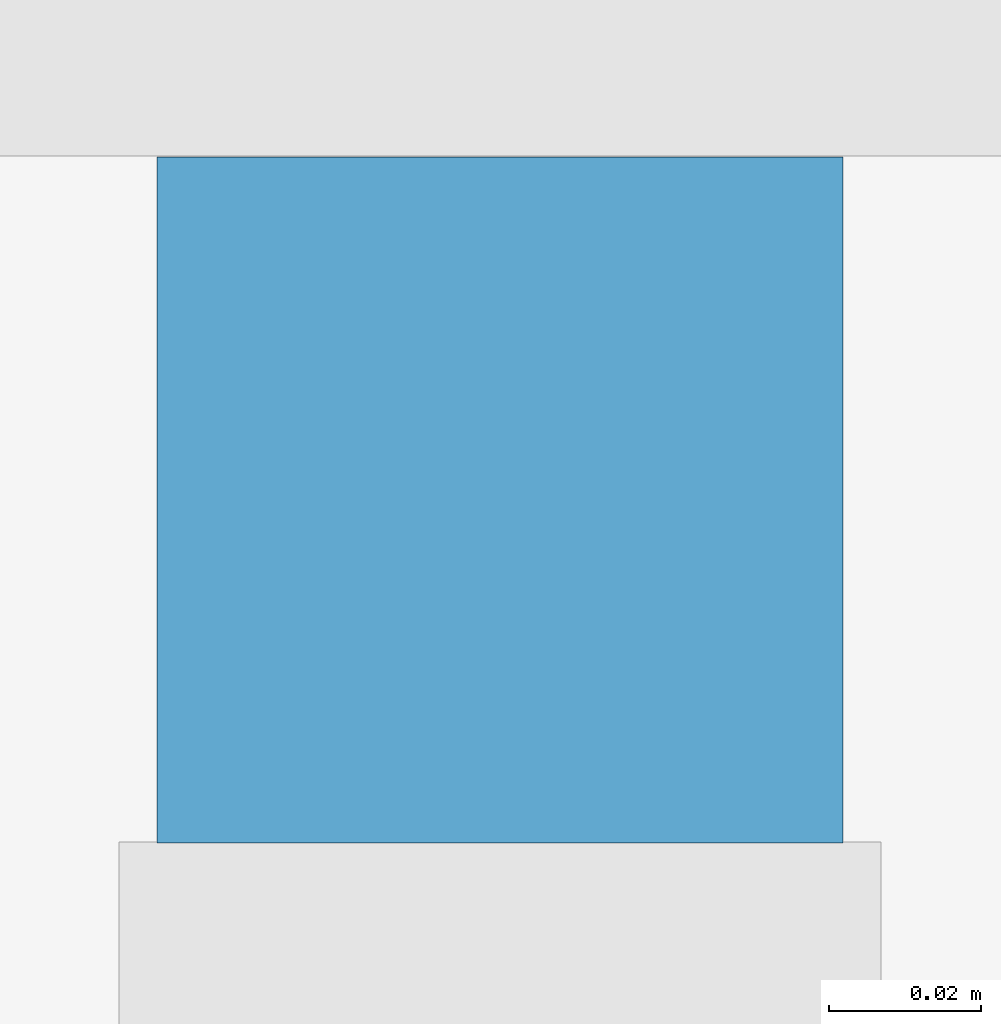
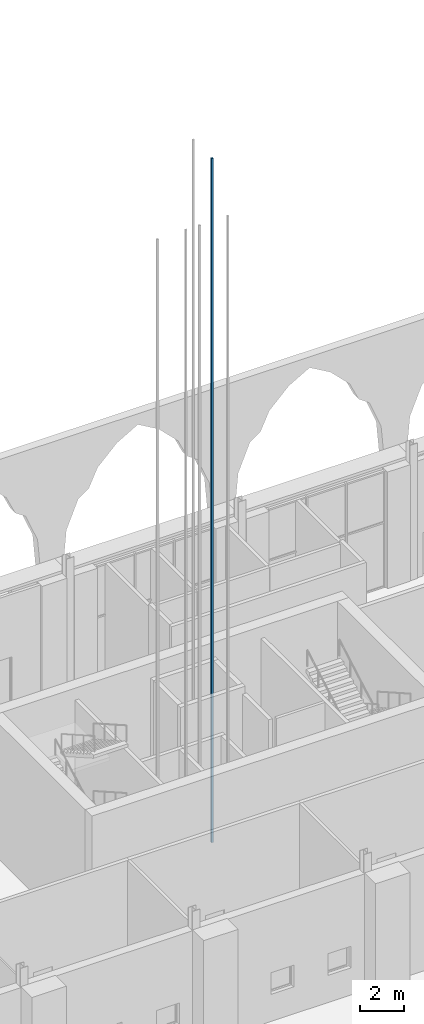
# One storey, part 158 of 250: 1 discrete accessory.
"""IFC4 building model written with IfcOpenShell, lengths in metres."""

from ifc_helpers import new_model, si_unit, direction, frame, origin, origin_2d, place, context, subcontext, project, spatial, rectangle, extrude, material, type_object, element, save


model = new_model("IFC4")

# Units and contexts
model_context = context("Model", 3, precision=1e-05, world=origin(), true_north=direction((0.0, 1.0)))
body_context = subcontext(model_context, "Body", "Model", "MODEL_VIEW")
ifc_project = project(units=[si_unit("LENGTHUNIT", "METRE"), si_unit("AREAUNIT", "SQUARE_METRE"), si_unit("VOLUMEUNIT", "CUBIC_METRE"), si_unit("PLANEANGLEUNIT", "RADIAN"), si_unit("MASSUNIT", "GRAM", prefix="KILO")], contexts=[model_context])

# Site, building, storey
site_placement = place(None, origin())
site = spatial("IfcSite", under=ifc_project, at=site_placement, CompositionType="ELEMENT")
building_placement = place(site_placement, origin())
building = spatial("IfcBuilding", under=site, at=building_placement, Name="Baradari Gate Terminus", CompositionType="ELEMENT")
storey_placement = place(building_placement, origin())
storey = spatial("IfcBuildingStorey", under=building, at=storey_placement, Name="L00", CompositionType="ELEMENT", Elevation=0.0)

# Discrete accessory
ifc_material = material(Name="Steel S355", Category="steel")
discrete_accessory_type = type_object("IfcDiscreteAccessoryType", Name="Lift guide rail GR-L1 90x90", PredefinedType="BRACKET", material=ifc_material)
discrete_accessory_placement = place(storey_placement, frame((36.824951171875, 132.3798828125, -1.599853515625), z_axis=(0.0, 0.0, 1.0), x_axis=(1.0, 0.0, 0.0)))
element("IfcDiscreteAccessory", 1, at=discrete_accessory_placement, inside=storey, type_object=discrete_accessory_type, Name="Lift guide rail LT3 1", PredefinedType="BRACKET", context=body_context, shape_type="SweptSolid", body=[
    extrude(rectangle(XDim=0.090087890625, YDim=0.090087890625, at=origin_2d()), origin(), (0.0, 0.0, 1.0), 37.89990234375),
])

save(model, "model.ifc")
